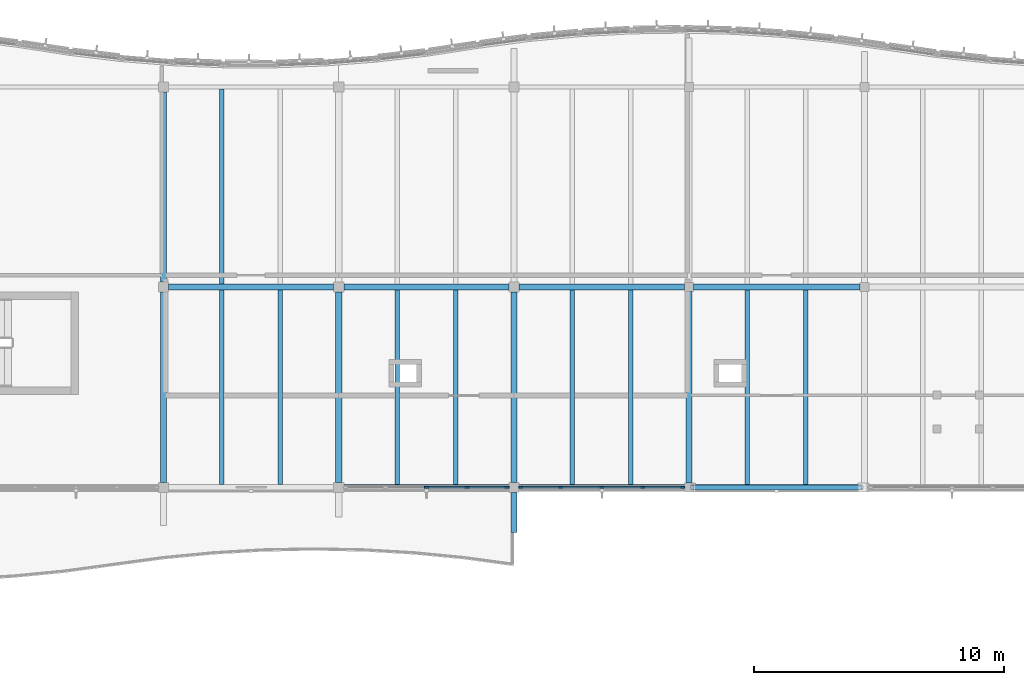
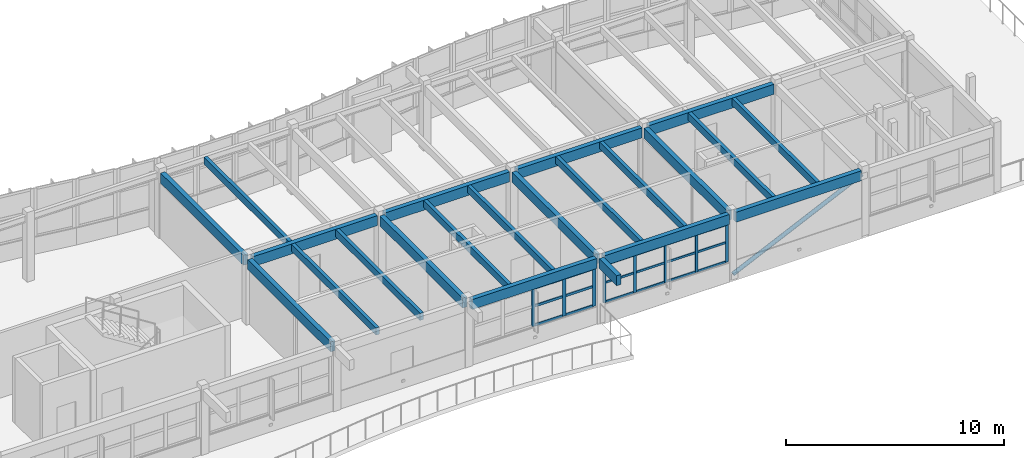
# One storey, part 24 of 63: 27 members, 22 beams, 2 elements without a shape of their own.
"""IFC4 building model written with IfcOpenShell, lengths in metres."""

from ifc_helpers import new_model, si_unit, direction, frame, origin, origin_2d, place, context, subcontext, project, spatial, rectangle, hollow_circle, extrude, material, layer, layer_set, material_profile, profile_set, type_object, element, aggregate, save


model = new_model("IFC4")

# Units and contexts
model_context = context("Model", 3, precision=1e-05, world=origin(), true_north=direction((0.0, 1.0)))
body_context = subcontext(model_context, "Body", "Model", "MODEL_VIEW")
ifc_project = project(units=[si_unit("LENGTHUNIT", "METRE"), si_unit("AREAUNIT", "SQUARE_METRE"), si_unit("VOLUMEUNIT", "CUBIC_METRE"), si_unit("PLANEANGLEUNIT", "RADIAN"), si_unit("MASSUNIT", "GRAM", prefix="KILO")], contexts=[model_context])

# Site, building, storey
site_placement = place(None, origin())
site = spatial("IfcSite", under=ifc_project, at=site_placement, CompositionType="ELEMENT")
building_placement = place(site_placement, origin())
building = spatial("IfcBuilding", under=site, at=building_placement, Name="Tonlespit Floodbar School", CompositionType="ELEMENT")
storey_placement = place(building_placement, frame((0.0, 0.0, 8.39990234375)))
storey = spatial("IfcBuildingStorey", under=building, at=storey_placement, Name="L02", CompositionType="ELEMENT", Elevation=8.39990234375)

# Beams
ifc_material_1 = material(Name="Glulam GL28h", Category="wood")
ifc_material_profile_1 = material_profile(ifc_material_1, rectangle(XDim=0.239990234375, YDim=0.56005859375, at=origin_2d()), Name="GL 240x560")
ifc_profile_set_1 = profile_set([ifc_material_profile_1], Name="Glulam GL28h")
beam_type_1 = type_object("IfcBeamType", Name="Beam_GL_240x560", PredefinedType="BEAM", material=ifc_profile_set_1)
beam_1_placement = place(storey_placement, frame((141.199951171875, 104.0, 3.364990234375), z_axis=(1.0, 0.0, 0.0), x_axis=(0.0, 1.0, 0.0)))
element("IfcBeam", 1, at=beam_1_placement, inside=storey, type_object=beam_type_1, Name="L02 girder 0970", PredefinedType="BEAM", context=body_context, shape_type="SweptSolid", body=[
    extrude(rectangle(XDim=0.239990234375, YDim=0.56005859375, at=origin_2d()), origin(), (0.0, 0.0, 1.0), 6.60009765625),
])
beam_2_placement = place(storey_placement, frame((148.199951171875, 104.0, 3.364990234375), z_axis=(1.0, 0.0, 0.0), x_axis=(0.0, 1.0, 0.0)))
element("IfcBeam", 2, at=beam_2_placement, inside=storey, type_object=beam_type_1, Name="L02 girder 0971", PredefinedType="BEAM", context=body_context, shape_type="SweptSolid", body=[
    extrude(rectangle(XDim=0.239990234375, YDim=0.56005859375, at=origin_2d()), origin(), (0.0, 0.0, 1.0), 6.6201171875),
])
beam_3_placement = place(storey_placement, frame((155.179931640625, 104.0, 3.364990234375), z_axis=(1.0, 0.0, 0.0), x_axis=(0.0, 1.0, 0.0)))
element("IfcBeam", 3, at=beam_3_placement, inside=storey, type_object=beam_type_1, Name="L02 girder 0972", PredefinedType="BEAM", context=body_context, shape_type="SweptSolid", body=[
    extrude(rectangle(XDim=0.239990234375, YDim=0.56005859375, at=origin_2d()), origin(), (0.0, 0.0, 1.0), 6.64013671875),
])
for number, where, z_axis, x_axis, name in (
    (4, (134.199951171875, 112.0, 3.364990234375), (1.0, 0.0, 0.0), (0.0, 1.0, 0.0), "L02 girder 0978"),
    (5, (141.199951171875, 112.0, 3.364990234375), (1.0, 0.0, 0.0), (0.0, 1.0, 0.0), "L02 girder 0979"),
):
    element("IfcBeam", number, at=place(storey_placement, frame(where, z_axis=z_axis, x_axis=x_axis)), inside=storey, type_object=beam_type_1, Name=name, PredefinedType="BEAM", context=body_context, shape_type="SweptSolid", body=[
        extrude(rectangle(XDim=0.239990234375, YDim=0.56005859375, at=origin_2d()), origin(), (0.0, 0.0, 1.0), 6.60009765625),
    ])
beam_4_placement = place(storey_placement, frame((148.199951171875, 112.0, 3.364990234375), z_axis=(1.0, 0.0, 0.0), x_axis=(0.0, 1.0, 0.0)))
element("IfcBeam", 6, at=beam_4_placement, inside=storey, type_object=beam_type_1, Name="L02 girder 0980", PredefinedType="BEAM", context=body_context, shape_type="SweptSolid", body=[
    extrude(rectangle(XDim=0.239990234375, YDim=0.56005859375, at=origin_2d()), origin(), (0.0, 0.0, 1.0), 6.6201171875),
])
beam_5_placement = place(storey_placement, frame((155.179931640625, 112.0, 3.364990234375), z_axis=(1.0, 0.0, 0.0), x_axis=(0.0, 1.0, 0.0)))
element("IfcBeam", 7, at=beam_5_placement, inside=storey, type_object=beam_type_1, Name="L02 girder 0981", PredefinedType="BEAM", context=body_context, shape_type="SweptSolid", body=[
    extrude(rectangle(XDim=0.239990234375, YDim=0.56005859375, at=origin_2d()), origin(), (0.0, 0.0, 1.0), 6.64013671875),
])
for number, where, z_axis, x_axis, name in (
    (8, (134.0, 104.199951171875, 3.364990234375), (0.0, 1.0, 0.0), (-1.0, 0.0, 0.0), "L02 girder 1048"),
    (9, (134.0, 112.199951171875, 3.364990234375), (0.0, 1.0, 0.0), (-1.0, 0.0, 0.0), "L02 girder 1049"),
    (10, (141.0, 104.199951171875, 3.364990234375), (0.0, 1.0, 0.0), (-1.0, 0.0, 0.0), "L02 girder 1050"),
    (11, (148.0, 104.199951171875, 3.364990234375), (0.0, 1.0, 0.0), (-1.0, 0.0, 0.0), "L02 girder 1052"),
):
    element("IfcBeam", number, at=place(storey_placement, frame(where, z_axis=z_axis, x_axis=x_axis)), inside=storey, type_object=beam_type_1, Name=name, PredefinedType="BEAM", context=body_context, shape_type="SweptSolid", body=[
        extrude(rectangle(XDim=0.239990234375, YDim=0.56005859375, at=origin_2d()), origin(), (0.0, 0.0, 1.0), 7.60009765625),
    ])
beam_6_placement = place(storey_placement, frame((155.0, 104.179931640625, 3.364990234375), z_axis=(0.0, 1.0, 0.0), x_axis=(-1.0, 0.0, 0.0)))
element("IfcBeam", 12, at=beam_6_placement, inside=storey, type_object=beam_type_1, Name="L02 girder 1054", PredefinedType="BEAM", context=body_context, shape_type="SweptSolid", body=[
    extrude(rectangle(XDim=0.239990234375, YDim=0.56005859375, at=origin_2d()), origin(), (0.0, 0.0, 1.0), 7.64013671875),
])
beam_7_placement = place(storey_placement, frame((148.0, 103.800048828125, 3.3759765625), z_axis=(0.0, -1.0, 0.0), x_axis=(1.0, 0.0, 0.0)))
element("IfcBeam", 13, at=beam_7_placement, inside=storey, type_object=beam_type_1, Name="L02 V4 south court gallery rib", PredefinedType="BEAM", context=body_context, shape_type="SweptSolid", body=[
    extrude(rectangle(XDim=0.239990234375, YDim=0.56005859375, at=origin_2d()), origin(), (0.0, 0.0, 1.0), 1.60009765625),
])

# Member
ifc_material_2 = material(Name="Steel S355", Category="steel")
ifc_material_profile_2 = material_profile(ifc_material_2, hollow_circle(Radius=0.109619140625, WallThickness=0.008056640625, at=origin_2d()), Name="CHS 219.1x8")
ifc_profile_set_2 = profile_set([ifc_material_profile_2], Name="Steel S355")
member_type_1 = type_object("IfcMemberType", Name="Brace_Ext_CHS219", PredefinedType="BRACE", material=ifc_profile_set_2)
member_1_placement = place(storey_placement, frame((155.080078125, 104.0, 0.150146484375), z_axis=(0.90577551888, 0.0, 0.423757842874), x_axis=(0.0, 1.0, 0.0)))
element("IfcMember", 14, at=member_1_placement, inside=storey, type_object=member_type_1, Name="L02 exposed deconstructivist lateral brace 5", PredefinedType="BRACE", context=body_context, shape_type="SweptSolid", body=[
    extrude(hollow_circle(Radius=0.109619140625, WallThickness=0.008056640625, at=origin_2d()), origin(), (0.0, 0.0, 1.0), 7.55126953125),
])

# Curtain wall, members
ifc_material_3 = material(Name="Anodised Aluminium", Category="aluminium")
ifc_layer_1 = layer(ifc_material_3, 0.159912109375)
ifc_layer_set_1 = layer_set([ifc_layer_1], Name="Anodised Aluminium")
curtain_wall_type_1 = type_object("IfcCurtainWallType", Name="CurtainWall_6550x2150", PredefinedType="NOTDEFINED", material=ifc_layer_set_1)
curtain_wall_1_placement = place(storey_placement, origin())
curtain_wall_1 = element("IfcCurtainWall", 15, at=curtain_wall_1_placement, inside=storey, type_object=curtain_wall_type_1, Name="L02 unitised curtain wall 0442", PredefinedType="NOTDEFINED")
ifc_material_profile_3 = material_profile(ifc_material_3, rectangle(XDim=0.06494140625, YDim=0.14990234375, at=origin_2d()), Name="ALU M65x150")
ifc_profile_set_3 = profile_set([ifc_material_profile_3], Name="Anodised Aluminium")
member_type_2 = type_object("IfcMemberType", Name="CW_Mullion_65x150", PredefinedType="MULLION", material=ifc_profile_set_3)
member_2_placement = place(storey_placement, frame((154.74755859375, 104.0, 0.9501953125), z_axis=(0.0, 0.0, 1.0), x_axis=(0.0, -1.0, 0.0)))
member_2 = element("IfcMember", 16, at=member_2_placement, type_object=member_type_2, Name="CW-66 mullion 1", PredefinedType="MULLION", context=body_context, shape_type="SweptSolid", body=[
    extrude(rectangle(XDim=0.06494140625, YDim=0.14990234375, at=origin_2d()), origin(), (0.0, 0.0, 1.0), 2.135009765625),
])
member_3_placement = place(storey_placement, frame((153.14501953125, 104.0, 0.9501953125), z_axis=(0.0, 0.0, 1.0), x_axis=(0.0, -1.0, 0.0)))
member_3 = element("IfcMember", 17, at=member_3_placement, type_object=member_type_2, Name="CW-66 mullion 2", PredefinedType="MULLION", context=body_context, shape_type="SweptSolid", body=[
    extrude(rectangle(XDim=0.06494140625, YDim=0.14990234375, at=origin_2d()), origin(), (0.0, 0.0, 1.0), 2.135009765625),
])
member_4_placement = place(storey_placement, frame((151.510009765625, 104.0, 0.9501953125), z_axis=(0.0, 0.0, 1.0), x_axis=(0.0, -1.0, 0.0)))
member_4 = element("IfcMember", 18, at=member_4_placement, type_object=member_type_2, Name="CW-66 mullion 3", PredefinedType="MULLION", context=body_context, shape_type="SweptSolid", body=[
    extrude(rectangle(XDim=0.06494140625, YDim=0.14990234375, at=origin_2d()), origin(), (0.0, 0.0, 1.0), 2.135009765625),
])
member_5_placement = place(storey_placement, frame((149.875, 104.0, 0.9501953125), z_axis=(0.0, 0.0, 1.0), x_axis=(0.0, -1.0, 0.0)))
member_5 = element("IfcMember", 19, at=member_5_placement, type_object=member_type_2, Name="CW-66 mullion 4", PredefinedType="MULLION", context=body_context, shape_type="SweptSolid", body=[
    extrude(rectangle(XDim=0.06494140625, YDim=0.14990234375, at=origin_2d()), origin(), (0.0, 0.0, 1.0), 2.135009765625),
])
member_6_placement = place(storey_placement, frame((148.2724609375, 104.0, 0.9501953125), z_axis=(0.0, 0.0, 1.0), x_axis=(0.0, -1.0, 0.0)))
member_6 = element("IfcMember", 20, at=member_6_placement, type_object=member_type_2, Name="CW-66 mullion 5", PredefinedType="MULLION", context=body_context, shape_type="SweptSolid", body=[
    extrude(rectangle(XDim=0.06494140625, YDim=0.14990234375, at=origin_2d()), origin(), (0.0, 0.0, 1.0), 2.135009765625),
])

ifc_layer_2 = layer(ifc_material_3, 0.159912109375)
ifc_layer_set_2 = layer_set([ifc_layer_2], Name="Anodised Aluminium")
curtain_wall_type_2 = type_object("IfcCurtainWallType", Name="CurtainWall_6500x2150", PredefinedType="NOTDEFINED", material=ifc_layer_set_2)
curtain_wall_2_placement = place(storey_placement, origin())
curtain_wall_2 = element("IfcCurtainWall", 21, at=curtain_wall_2_placement, inside=storey, type_object=curtain_wall_type_2, Name="L02 unitised curtain wall 0443", PredefinedType="NOTDEFINED")
ifc_material_profile_4 = material_profile(ifc_material_3, rectangle(XDim=0.06494140625, YDim=0.179931640625, at=origin_2d()), Name="ALU M65x180")
ifc_profile_set_4 = profile_set([ifc_material_profile_4], Name="Anodised Aluminium")
member_type_3 = type_object("IfcMemberType", Name="CW_Mullion_65x180", PredefinedType="MULLION", material=ifc_profile_set_4)
member_7_placement = place(storey_placement, frame((147.7275390625, 104.0, 0.9501953125), z_axis=(0.0, 0.0, 1.0), x_axis=(0.0, -1.0, 0.0)))
member_7 = element("IfcMember", 22, at=member_7_placement, type_object=member_type_3, Name="CW-67 mullion 1", PredefinedType="MULLION", context=body_context, shape_type="SweptSolid", body=[
    extrude(rectangle(XDim=0.06494140625, YDim=0.179931640625, at=origin_2d()), origin(), (0.0, 0.0, 1.0), 2.135009765625),
])
member_8_placement = place(storey_placement, frame((146.1298828125, 104.0, 0.9501953125), z_axis=(0.0, 0.0, 1.0), x_axis=(0.0, -1.0, 0.0)))
member_8 = element("IfcMember", 23, at=member_8_placement, type_object=member_type_3, Name="CW-67 mullion 2", PredefinedType="MULLION", context=body_context, shape_type="SweptSolid", body=[
    extrude(rectangle(XDim=0.06494140625, YDim=0.179931640625, at=origin_2d()), origin(), (0.0, 0.0, 1.0), 2.135009765625),
])
member_9_placement = place(storey_placement, frame((144.5, 104.0, 0.9501953125), z_axis=(0.0, 0.0, 1.0), x_axis=(0.0, -1.0, 0.0)))
member_9 = element("IfcMember", 24, at=member_9_placement, type_object=member_type_3, Name="CW-67 mullion 3", PredefinedType="MULLION", context=body_context, shape_type="SweptSolid", body=[
    extrude(rectangle(XDim=0.06494140625, YDim=0.179931640625, at=origin_2d()), origin(), (0.0, 0.0, 1.0), 2.135009765625),
])

# Member
ifc_material_profile_5 = material_profile(ifc_material_3, rectangle(XDim=0.06494140625, YDim=0.1201171875, at=origin_2d()), Name="ALU T65x120")
ifc_profile_set_5 = profile_set([ifc_material_profile_5], Name="Anodised Aluminium")
member_type_4 = type_object("IfcMemberType", Name="CW_Transom_65x120", PredefinedType="USERDEFINED", material=ifc_profile_set_5)
member_10_placement = place(storey_placement, frame((154.715087890625, 104.0, 0.982666015625), z_axis=(-1.0, 0.0, 0.0), x_axis=(0.0, -1.0, 0.0)))
member_10 = element("IfcMember", 25, at=member_10_placement, type_object=member_type_4, Name="CW-66 transom 1.1", ObjectType="TRANSOM", PredefinedType="USERDEFINED", context=body_context, shape_type="SweptSolid", body=[
    extrude(rectangle(XDim=0.06494140625, YDim=0.1201171875, at=origin_2d()), origin(), (0.0, 0.0, 1.0), 1.53759765625),
])

member_11_placement = place(storey_placement, frame((154.715087890625, 104.0, 2.060302734375), z_axis=(-1.0, 0.0, 0.0), x_axis=(0.0, -1.0, 0.0)))
member_11 = element("IfcMember", 26, at=member_11_placement, type_object=member_type_4, Name="CW-66 transom 1.2", ObjectType="TRANSOM", PredefinedType="USERDEFINED", context=body_context, shape_type="SweptSolid", body=[
    extrude(rectangle(XDim=0.06494140625, YDim=0.1201171875, at=origin_2d()), origin(), (0.0, 0.0, 1.0), 1.53759765625),
])

member_12_placement = place(storey_placement, frame((154.715087890625, 104.0, 3.052490234375), z_axis=(-1.0, 0.0, 0.0), x_axis=(0.0, -1.0, 0.0)))
member_12 = element("IfcMember", 27, at=member_12_placement, type_object=member_type_4, Name="CW-66 transom 1.3", ObjectType="TRANSOM", PredefinedType="USERDEFINED", context=body_context, shape_type="SweptSolid", body=[
    extrude(rectangle(XDim=0.06494140625, YDim=0.1201171875, at=origin_2d()), origin(), (0.0, 0.0, 1.0), 1.53759765625),
])

member_13_placement = place(storey_placement, frame((153.112548828125, 104.0, 0.982666015625), z_axis=(-1.0, 0.0, 0.0), x_axis=(0.0, -1.0, 0.0)))
member_13 = element("IfcMember", 28, at=member_13_placement, type_object=member_type_4, Name="CW-66 transom 2.1", ObjectType="TRANSOM", PredefinedType="USERDEFINED", context=body_context, shape_type="SweptSolid", body=[
    extrude(rectangle(XDim=0.06494140625, YDim=0.1201171875, at=origin_2d()), origin(), (0.0, 0.0, 1.0), 1.570068359375),
])

member_14_placement = place(storey_placement, frame((153.112548828125, 104.0, 2.060302734375), z_axis=(-1.0, 0.0, 0.0), x_axis=(0.0, -1.0, 0.0)))
member_14 = element("IfcMember", 29, at=member_14_placement, type_object=member_type_4, Name="CW-66 transom 2.2", ObjectType="TRANSOM", PredefinedType="USERDEFINED", context=body_context, shape_type="SweptSolid", body=[
    extrude(rectangle(XDim=0.06494140625, YDim=0.1201171875, at=origin_2d()), origin(), (0.0, 0.0, 1.0), 1.570068359375),
])

member_15_placement = place(storey_placement, frame((153.112548828125, 104.0, 3.052490234375), z_axis=(-1.0, 0.0, 0.0), x_axis=(0.0, -1.0, 0.0)))
member_15 = element("IfcMember", 30, at=member_15_placement, type_object=member_type_4, Name="CW-66 transom 2.3", ObjectType="TRANSOM", PredefinedType="USERDEFINED", context=body_context, shape_type="SweptSolid", body=[
    extrude(rectangle(XDim=0.06494140625, YDim=0.1201171875, at=origin_2d()), origin(), (0.0, 0.0, 1.0), 1.570068359375),
])

member_16_placement = place(storey_placement, frame((151.4775390625, 104.0, 0.982666015625), z_axis=(-1.0, 0.0, 0.0), x_axis=(0.0, -1.0, 0.0)))
member_16 = element("IfcMember", 31, at=member_16_placement, type_object=member_type_4, Name="CW-66 transom 3.1", ObjectType="TRANSOM", PredefinedType="USERDEFINED", context=body_context, shape_type="SweptSolid", body=[
    extrude(rectangle(XDim=0.06494140625, YDim=0.1201171875, at=origin_2d()), origin(), (0.0, 0.0, 1.0), 1.570068359375),
])

member_17_placement = place(storey_placement, frame((151.4775390625, 104.0, 2.060302734375), z_axis=(-1.0, 0.0, 0.0), x_axis=(0.0, -1.0, 0.0)))
member_17 = element("IfcMember", 32, at=member_17_placement, type_object=member_type_4, Name="CW-66 transom 3.2", ObjectType="TRANSOM", PredefinedType="USERDEFINED", context=body_context, shape_type="SweptSolid", body=[
    extrude(rectangle(XDim=0.06494140625, YDim=0.1201171875, at=origin_2d()), origin(), (0.0, 0.0, 1.0), 1.570068359375),
])

member_18_placement = place(storey_placement, frame((151.4775390625, 104.0, 3.052490234375), z_axis=(-1.0, 0.0, 0.0), x_axis=(0.0, -1.0, 0.0)))
member_18 = element("IfcMember", 33, at=member_18_placement, type_object=member_type_4, Name="CW-66 transom 3.3", ObjectType="TRANSOM", PredefinedType="USERDEFINED", context=body_context, shape_type="SweptSolid", body=[
    extrude(rectangle(XDim=0.06494140625, YDim=0.1201171875, at=origin_2d()), origin(), (0.0, 0.0, 1.0), 1.570068359375),
])

member_19_placement = place(storey_placement, frame((149.842529296875, 104.0, 0.982666015625), z_axis=(-1.0, 0.0, 0.0), x_axis=(0.0, -1.0, 0.0)))
member_19 = element("IfcMember", 34, at=member_19_placement, type_object=member_type_4, Name="CW-66 transom 4.1", ObjectType="TRANSOM", PredefinedType="USERDEFINED", context=body_context, shape_type="SweptSolid", body=[
    extrude(rectangle(XDim=0.06494140625, YDim=0.1201171875, at=origin_2d()), origin(), (0.0, 0.0, 1.0), 1.53759765625),
])

member_20_placement = place(storey_placement, frame((149.842529296875, 104.0, 2.060302734375), z_axis=(-1.0, 0.0, 0.0), x_axis=(0.0, -1.0, 0.0)))
member_20 = element("IfcMember", 35, at=member_20_placement, type_object=member_type_4, Name="CW-66 transom 4.2", ObjectType="TRANSOM", PredefinedType="USERDEFINED", context=body_context, shape_type="SweptSolid", body=[
    extrude(rectangle(XDim=0.06494140625, YDim=0.1201171875, at=origin_2d()), origin(), (0.0, 0.0, 1.0), 1.53759765625),
])

member_21_placement = place(storey_placement, frame((149.842529296875, 104.0, 3.052490234375), z_axis=(-1.0, 0.0, 0.0), x_axis=(0.0, -1.0, 0.0)))
member_21 = element("IfcMember", 36, at=member_21_placement, type_object=member_type_4, Name="CW-66 transom 4.3", ObjectType="TRANSOM", PredefinedType="USERDEFINED", context=body_context, shape_type="SweptSolid", body=[
    extrude(rectangle(XDim=0.06494140625, YDim=0.1201171875, at=origin_2d()), origin(), (0.0, 0.0, 1.0), 1.53759765625),
])

aggregate(curtain_wall_1, [member_2, member_3, member_4, member_5, member_6, member_10, member_11, member_12, member_13, member_14, member_15, member_16, member_17, member_18, member_19, member_20, member_21])

ifc_material_profile_6 = material_profile(ifc_material_3, rectangle(XDim=0.06494140625, YDim=0.139892578125, at=origin_2d()), Name="ALU T65x140")
ifc_profile_set_6 = profile_set([ifc_material_profile_6], Name="Anodised Aluminium")
member_type_5 = type_object("IfcMemberType", Name="CW_Transom_65x140", PredefinedType="USERDEFINED", material=ifc_profile_set_6)
member_22_placement = place(storey_placement, frame((147.695068359375, 104.0, 0.982666015625), z_axis=(-1.0, 0.0, 0.0), x_axis=(0.0, -1.0, 0.0)))
member_22 = element("IfcMember", 37, at=member_22_placement, type_object=member_type_5, Name="CW-67 transom 1.1", ObjectType="TRANSOM", PredefinedType="USERDEFINED", context=body_context, shape_type="SweptSolid", body=[
    extrude(rectangle(XDim=0.06494140625, YDim=0.139892578125, at=origin_2d()), origin(), (0.0, 0.0, 1.0), 1.532470703125),
])

member_23_placement = place(storey_placement, frame((147.695068359375, 104.0, 2.060302734375), z_axis=(-1.0, 0.0, 0.0), x_axis=(0.0, -1.0, 0.0)))
member_23 = element("IfcMember", 38, at=member_23_placement, type_object=member_type_5, Name="CW-67 transom 1.2", ObjectType="TRANSOM", PredefinedType="USERDEFINED", context=body_context, shape_type="SweptSolid", body=[
    extrude(rectangle(XDim=0.06494140625, YDim=0.139892578125, at=origin_2d()), origin(), (0.0, 0.0, 1.0), 1.532470703125),
])

member_24_placement = place(storey_placement, frame((147.695068359375, 104.0, 3.052490234375), z_axis=(-1.0, 0.0, 0.0), x_axis=(0.0, -1.0, 0.0)))
member_24 = element("IfcMember", 39, at=member_24_placement, type_object=member_type_5, Name="CW-67 transom 1.3", ObjectType="TRANSOM", PredefinedType="USERDEFINED", context=body_context, shape_type="SweptSolid", body=[
    extrude(rectangle(XDim=0.06494140625, YDim=0.139892578125, at=origin_2d()), origin(), (0.0, 0.0, 1.0), 1.532470703125),
])

member_25_placement = place(storey_placement, frame((146.097412109375, 104.0, 0.982666015625), z_axis=(-1.0, 0.0, 0.0), x_axis=(0.0, -1.0, 0.0)))
member_25 = element("IfcMember", 40, at=member_25_placement, type_object=member_type_5, Name="CW-67 transom 2.1", ObjectType="TRANSOM", PredefinedType="USERDEFINED", context=body_context, shape_type="SweptSolid", body=[
    extrude(rectangle(XDim=0.06494140625, YDim=0.139892578125, at=origin_2d()), origin(), (0.0, 0.0, 1.0), 1.56494140625),
])

member_26_placement = place(storey_placement, frame((146.097412109375, 104.0, 2.060302734375), z_axis=(-1.0, 0.0, 0.0), x_axis=(0.0, -1.0, 0.0)))
member_26 = element("IfcMember", 41, at=member_26_placement, type_object=member_type_5, Name="CW-67 transom 2.2", ObjectType="TRANSOM", PredefinedType="USERDEFINED", context=body_context, shape_type="SweptSolid", body=[
    extrude(rectangle(XDim=0.06494140625, YDim=0.139892578125, at=origin_2d()), origin(), (0.0, 0.0, 1.0), 1.56494140625),
])

member_27_placement = place(storey_placement, frame((146.097412109375, 104.0, 3.052490234375), z_axis=(-1.0, 0.0, 0.0), x_axis=(0.0, -1.0, 0.0)))
member_27 = element("IfcMember", 42, at=member_27_placement, type_object=member_type_5, Name="CW-67 transom 2.3", ObjectType="TRANSOM", PredefinedType="USERDEFINED", context=body_context, shape_type="SweptSolid", body=[
    extrude(rectangle(XDim=0.06494140625, YDim=0.139892578125, at=origin_2d()), origin(), (0.0, 0.0, 1.0), 1.56494140625),
])

aggregate(curtain_wall_2, [member_7, member_8, member_9, member_22, member_23, member_24, member_25, member_26, member_27])

# Beams
ifc_material_profile_7 = material_profile(ifc_material_1, rectangle(XDim=0.179931640625, YDim=0.39990234375, at=origin_2d()), Name="GL 180x400")
ifc_profile_set_7 = profile_set([ifc_material_profile_7], Name="Glulam GL28h")
beam_type_2 = type_object("IfcBeamType", Name="Joist_GL_180x400", PredefinedType="JOIST", material=ifc_profile_set_7)
for number, where, z_axis, x_axis, name in (
    (43, (136.333251953125, 104.1201171875, 3.445068359375), (0.0, 1.0, 0.0), (-1.0, 0.0, 0.0), "L02 secondary joist 1115"),
    (44, (138.666748046875, 104.1201171875, 3.445068359375), (0.0, 1.0, 0.0), (-1.0, 0.0, 0.0), "L02 secondary joist 1116"),
    (45, (143.333251953125, 104.1201171875, 3.445068359375), (0.0, 1.0, 0.0), (-1.0, 0.0, 0.0), "L02 secondary joist 1117"),
    (46, (145.666748046875, 104.1201171875, 3.445068359375), (0.0, 1.0, 0.0), (-1.0, 0.0, 0.0), "L02 secondary joist 1118"),
    (47, (150.333251953125, 104.1201171875, 3.445068359375), (0.0, 1.0, 0.0), (-1.0, 0.0, 0.0), "L02 secondary joist 1119"),
    (48, (152.666748046875, 104.1201171875, 3.445068359375), (0.0, 1.0, 0.0), (-1.0, 0.0, 0.0), "L02 secondary joist 1120"),
    (49, (157.333251953125, 104.1201171875, 3.445068359375), (0.0, 1.0, 0.0), (-1.0, 0.0, 0.0), "L02 secondary joist 1121"),
    (50, (159.666748046875, 104.1201171875, 3.445068359375), (0.0, 1.0, 0.0), (-1.0, 0.0, 0.0), "L02 secondary joist 1122"),
):
    element("IfcBeam", number, at=place(storey_placement, frame(where, z_axis=z_axis, x_axis=x_axis)), inside=storey, type_object=beam_type_2, Name=name, PredefinedType="JOIST", context=body_context, shape_type="SweptSolid", body=[
        extrude(rectangle(XDim=0.179931640625, YDim=0.39990234375, at=origin_2d()), origin(), (0.0, 0.0, 1.0), 7.759765625),
    ])
beam_8_placement = place(storey_placement, frame((136.333251953125, 112.1201171875, 3.445068359375), z_axis=(0.0, 1.0, 0.0), x_axis=(-1.0, 0.0, 0.0)))
element("IfcBeam", 51, at=beam_8_placement, inside=storey, type_object=beam_type_2, Name="L02 secondary joist 1133", PredefinedType="JOIST", context=body_context, shape_type="SweptSolid", body=[
    extrude(rectangle(XDim=0.179931640625, YDim=0.39990234375, at=origin_2d()), origin(), (0.0, 0.0, 1.0), 7.794921875),
])

save(model, "model.ifc")
